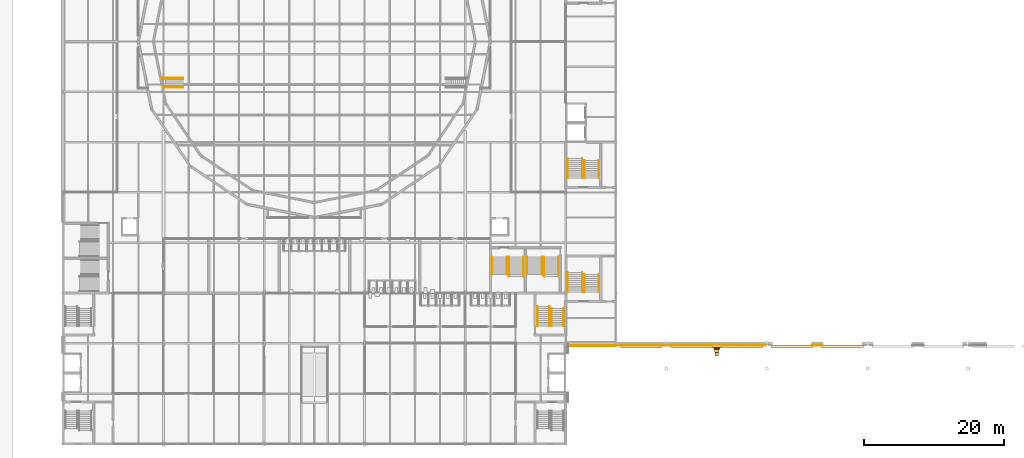
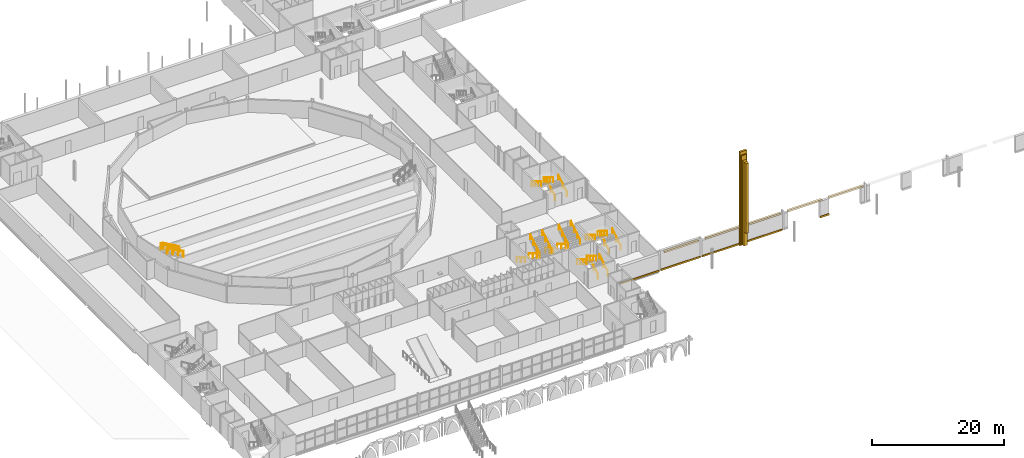
# One storey, part 81 of 90: 24 railings, 13 coverings.
"""IFC4 building model written with IfcOpenShell, lengths in metres."""

from ifc_helpers import new_model, si_unit, direction, frame, origin, origin_2d, place, context, subcontext, project, spatial, rectangle, circle, extrude, material, layer, layer_set, type_object, element, save


model = new_model("IFC4")

# Units and contexts
model_context = context("Model", 3, precision=1e-05, world=origin(), true_north=direction((0.0, 1.0)))
body_context = subcontext(model_context, "Body", "Model", "MODEL_VIEW")
ifc_project = project(units=[si_unit("LENGTHUNIT", "METRE"), si_unit("AREAUNIT", "SQUARE_METRE"), si_unit("VOLUMEUNIT", "CUBIC_METRE"), si_unit("PLANEANGLEUNIT", "RADIAN"), si_unit("MASSUNIT", "GRAM", prefix="KILO")], contexts=[model_context])

# Site, building, storey
site_placement = place(None, origin())
site = spatial("IfcSite", under=ifc_project, at=site_placement, CompositionType="ELEMENT")
building_placement = place(site_placement, origin())
building = spatial("IfcBuilding", under=site, at=building_placement, Name="Kupolbacken Congress Centre", CompositionType="ELEMENT")
storey_placement = place(building_placement, frame((0.0, 0.0, 3.60009765625)))
storey = spatial("IfcBuildingStorey", under=building, at=storey_placement, Name="L01", CompositionType="ELEMENT", Elevation=3.60009765625)

# Coverings
ifc_material_1 = material(Name="Brick cladding", Category="masonry")
ifc_layer_1 = layer(ifc_material_1, 0.10791015625)
ifc_layer_set_1 = layer_set([ifc_layer_1], Name="Brick cladding")
covering_type_1 = type_object("IfcCoveringType", Name="CV2 brick cladding band 108", PredefinedType="CLADDING", material=ifc_layer_set_1)
covering_1_placement = place(storey_placement, frame((90.0, 42.93603515625, 0.0), z_axis=(0.0, 0.0, 1.0), x_axis=(1.0, 0.0, 0.0)))
element("IfcCovering", 1, at=covering_1_placement, inside=storey, type_object=covering_type_1, Name="E/H/S/L01/171/band", PredefinedType="CLADDING", context=body_context, shape_type="SweptSolid", body=[
    extrude(rectangle(XDim=6.89990234375, YDim=0.10791015625, at=origin_2d()), origin(), (0.0, 0.0, 1.0), 0.300048828125),
])
covering_2_placement = place(storey_placement, frame((100.800048828125, 42.93603515625, 0.0), z_axis=(0.0, 0.0, 1.0), x_axis=(1.0, 0.0, 0.0)))
element("IfcCovering", 2, at=covering_2_placement, inside=storey, type_object=covering_type_1, Name="E/H/S/L01/172/band", PredefinedType="CLADDING", context=body_context, shape_type="SweptSolid", body=[
    extrude(rectangle(XDim=14.10009765625, YDim=0.10791015625, at=origin_2d()), origin(), (0.0, 0.0, 1.0), 0.300048828125),
])
covering_3_placement = place(storey_placement, frame((115.199951171875, 42.93603515625, 0.0), z_axis=(0.0, 0.0, 1.0), x_axis=(1.0, 0.0, 0.0)))
element("IfcCovering", 3, at=covering_3_placement, inside=storey, type_object=covering_type_1, Name="E/H/S/L01/174/band", PredefinedType="CLADDING", context=body_context, shape_type="SweptSolid", body=[
    extrude(rectangle(XDim=1.60009765625, YDim=0.10791015625, at=origin_2d()), origin(), (0.0, 0.0, 1.0), 0.300048828125),
])
covering_4_placement = place(storey_placement, frame((82.800048828125, 42.865966796875, 0.0), z_axis=(0.0, 0.0, 1.0), x_axis=(1.0, 0.0, 0.0)))
element("IfcCovering", 4, at=covering_4_placement, inside=storey, type_object=covering_type_1, Name="E/LINK/S/L01/188/band", PredefinedType="CLADDING", context=body_context, shape_type="SweptSolid", body=[
    extrude(rectangle(XDim=6.89990234375, YDim=0.10791015625, at=origin_2d()), origin(), (0.0, 0.0, 1.0), 0.300048828125),
])
ifc_material_2 = material(Name="Limestone cladding", Category="masonry")
ifc_layer_2 = layer(ifc_material_2, 0.35009765625)
ifc_layer_set_2 = layer_set([ifc_layer_2], Name="Limestone cladding")
covering_type_2 = type_object("IfcCoveringType", Name="CV3 limestone pilaster strip 350", PredefinedType="CLADDING", material=ifc_layer_set_2)
covering_5_placement = place(storey_placement, frame((100.800048828125, 42.764892578125, 0.0), z_axis=(0.0, 0.0, 1.0), x_axis=(1.0, 0.0, 0.0)))
element("IfcCovering", 5, at=covering_5_placement, inside=storey, type_object=covering_type_2, Name="F/H/S/pil/02/0", PredefinedType="CLADDING", context=body_context, shape_type="SweptSolid", body=[
    extrude(rectangle(XDim=1.199951171875, YDim=0.35009765625, at=origin_2d()), origin(), (0.0, 0.0, 1.0), 17.3349609375),
])
for number, where, z_axis, x_axis, name in (
    (6, (90.0, 42.764892578125, 3.2998046875), (0.0, 0.0, 1.0), (1.0, 0.0, 0.0), "F/HR/H/S/string/7.2/00/0"),
    (7, (97.199951171875, 42.764892578125, 3.2998046875), (0.0, 0.0, 1.0), (1.0, 0.0, 0.0), "F/HR/H/S/string/7.2/01/0"),
    (8, (104.39990234375, 42.764892578125, 3.2998046875), (0.0, 0.0, 1.0), (1.0, 0.0, 0.0), "F/HR/H/S/string/7.2/02/0"),
    (9, (111.60009765625, 42.764892578125, 3.2998046875), (0.0, 0.0, 1.0), (1.0, 0.0, 0.0), "F/HR/H/S/string/7.2/03/0"),
    (10, (118.800048828125, 42.764892578125, 3.2998046875), (0.0, 0.0, 1.0), (1.0, 0.0, 0.0), "F/HR/H/S/string/7.2/04/0"),
):
    element("IfcCovering", number, at=place(storey_placement, frame(where, z_axis=z_axis, x_axis=x_axis)), inside=storey, type_object=covering_type_2, Name=name, PredefinedType="CLADDING", context=body_context, shape_type="SweptSolid", body=[
        extrude(rectangle(XDim=6.0, YDim=0.35009765625, at=origin_2d()), origin(), (0.0, 0.0, 1.0), 0.300048828125),
    ])
ifc_material_3 = material(Name="Limestone cladding", Category="masonry")
ifc_layer_3 = layer(ifc_material_3, 0.5)
ifc_layer_set_3 = layer_set([ifc_layer_3], Name="Limestone cladding")
covering_type_3 = type_object("IfcCoveringType", Name="CV8 limestone drum pier 500", PredefinedType="CLADDING", material=ifc_layer_set_3)
covering_6_placement = place(storey_placement, frame((100.800048828125, 42.139892578125, 0.2998046875), z_axis=(0.0, 0.0, 1.0), x_axis=(1.0, 0.0, 0.0)))
element("IfcCovering", 11, at=covering_6_placement, inside=storey, type_object=covering_type_3, Name="F/HR/H/S/butt/02-0/0", PredefinedType="CLADDING", context=body_context, shape_type="SweptSolid", body=[
    extrude(rectangle(XDim=0.60009765625, YDim=0.5, at=origin_2d()), origin(), (0.0, 0.0, 1.0), 15.485107421875),
])
covering_7_placement = place(storey_placement, frame((100.800048828125, 41.639892578125, 2.89990234375), z_axis=(0.0, 0.0, 1.0), x_axis=(1.0, 0.0, 0.0)))
element("IfcCovering", 12, at=covering_7_placement, inside=storey, type_object=covering_type_3, Name="F/HR/H/S/butt2/02-0/0", PredefinedType="CLADDING", context=body_context, shape_type="SweptSolid", body=[
    extrude(rectangle(XDim=0.5, YDim=0.5, at=origin_2d()), origin(), (0.0, 0.0, 1.0), 12.885009765625),
])
ifc_material_4 = material(Name="Limestone cladding", Category="masonry")
ifc_layer_4 = layer(ifc_material_4, 0.199951171875)
ifc_layer_set_4 = layer_set([ifc_layer_4], Name="Limestone cladding")
covering_type_4 = type_object("IfcCoveringType", Name="CV9 limestone drum arch frame 200", PredefinedType="CLADDING", material=ifc_layer_set_4)
covering_8_placement = place(storey_placement, frame((100.800048828125, 42.489990234375, 0.2998046875), z_axis=(0.0, 0.0, 1.0), x_axis=(1.0, 0.0, 0.0)))
element("IfcCovering", 13, at=covering_8_placement, inside=storey, type_object=covering_type_4, Name="F/HR/H/S/rib/02-0/0", PredefinedType="CLADDING", context=body_context, shape_type="SweptSolid", body=[
    extrude(rectangle(XDim=0.89990234375, YDim=0.199951171875, at=origin_2d()), origin(), (0.0, 0.0, 1.0), 16.43505859375),
])

# Railings
ifc_material_5 = material(Name="Steel S235", Category="steel")
railing_type_1 = type_object("IfcRailingType", Name="RL1 guard 1100 steel balustrade", PredefinedType="GUARDRAIL", material=ifc_material_5)
railing_1_placement = place(storey_placement, frame((24.378173828125, 81.219970703125, 1.973876953125)))
element("IfcRailing", 14, at=railing_1_placement, inside=storey, type_object=railing_type_1, Name="PD/aisle/PA-S-1/Ga", PredefinedType="GUARDRAIL", context=body_context, shape_type="SweptSolid", body=[
    extrude(circle(Radius=0.02392578125, at=origin_2d()), frame((0.0, 0.0, 1.076171875), z_axis=(-0.864769934467, 0.0, 0.502168259094), x_axis=(0.0, -1.0, 0.0)), (0.0, 0.0, 1.0), 3.23779296875),
    extrude(circle(Radius=0.02392578125, at=origin_2d()), frame((-2.800048828125, 0.0, 2.7021484375), z_axis=(-1.0, 0.0, 0.0), x_axis=(0.0, -1.0, 0.0)), (0.0, 0.0, 1.0), 0.374755859375),
    extrude(circle(Radius=0.02099609375, at=origin_2d()), origin(), (0.0, 0.0, 1.0), 1.052001953125),
    extrude(circle(Radius=0.02099609375, at=origin_2d()), frame((-0.933349609375, 0.0, 0.5419921875)), (0.0, 0.0, 1.0), 1.052001953125),
    extrude(circle(Radius=0.02099609375, at=origin_2d()), frame((-1.86669921875, 0.0, 1.083984375)), (0.0, 0.0, 1.0), 1.052001953125),
    extrude(circle(Radius=0.02099609375, at=origin_2d()), frame((-2.800048828125, 0.0, 1.6259765625)), (0.0, 0.0, 1.0), 1.052001953125),
    extrude(circle(Radius=0.02099609375, at=origin_2d()), frame((-3.1748046875, 0.0, 1.6259765625)), (0.0, 0.0, 1.0), 1.052001953125),
])
railing_2_placement = place(storey_placement, frame((24.378173828125, 79.780029296875, 1.973876953125)))
element("IfcRailing", 15, at=railing_2_placement, inside=storey, type_object=railing_type_1, Name="PD/aisle/PA-S-1/Gb", PredefinedType="GUARDRAIL", context=body_context, shape_type="SweptSolid", body=[
    extrude(circle(Radius=0.02392578125, at=origin_2d()), frame((0.0, 0.0, 1.076171875), z_axis=(-0.864769934467, 0.0, 0.502168259094), x_axis=(0.0, -1.0, 0.0)), (0.0, 0.0, 1.0), 3.23779296875),
    extrude(circle(Radius=0.02392578125, at=origin_2d()), frame((-2.800048828125, 0.0, 2.7021484375), z_axis=(-1.0, 0.0, 0.0), x_axis=(0.0, -1.0, 0.0)), (0.0, 0.0, 1.0), 0.09130859375),
    extrude(circle(Radius=0.02099609375, at=origin_2d()), origin(), (0.0, 0.0, 1.0), 1.052001953125),
    extrude(circle(Radius=0.02099609375, at=origin_2d()), frame((-0.933349609375, 0.0, 0.5419921875)), (0.0, 0.0, 1.0), 1.052001953125),
    extrude(circle(Radius=0.02099609375, at=origin_2d()), frame((-1.86669921875, 0.0, 1.083984375)), (0.0, 0.0, 1.0), 1.052001953125),
    extrude(circle(Radius=0.02099609375, at=origin_2d()), frame((-2.800048828125, 0.0, 1.6259765625)), (0.0, 0.0, 1.0), 1.052001953125),
    extrude(circle(Radius=0.02099609375, at=origin_2d()), frame((-2.891357421875, 0.0, 1.6259765625)), (0.0, 0.0, 1.0), 1.052001953125),
])
ifc_material_6 = material(Name="Steel S235", Category="steel")
railing_type_2 = type_object("IfcRailingType", Name="RL3 handrail wall-mounted 900", PredefinedType="HANDRAIL", material=ifc_material_6)
for number, where, name in (
    (16, (77.14990234375, 45.655029296875, 0.17138671875), "C/stair/FS2E/L01/HR1L"),
    (17, (78.85009765625, 45.655029296875, 0.17138671875), "C/stair/FS2E/L01/HR1R"),
):
    element("IfcRailing", number, at=place(storey_placement, frame(where)), inside=storey, type_object=railing_type_2, Name=name, PredefinedType="HANDRAIL", context=body_context, shape_type="SweptSolid", body=[
        extrude(circle(Radius=0.02392578125, at=origin_2d()), frame((0.0, 0.0, 0.8759765625), z_axis=(0.0, 0.852873080145, 0.522118290393), x_axis=(-1.0, 0.0, 0.0)), (0.0, 0.0, 1.0), 2.954833984375),
        extrude(circle(Radius=0.02099609375, at=origin_2d()), origin(), (0.0, 0.0, 1.0), 0.851806640625),
        extrude(circle(Radius=0.02099609375, at=origin_2d()), frame((0.0, 1.260009765625, 0.771484375)), (0.0, 0.0, 1.0), 0.851806640625),
        extrude(circle(Radius=0.02099609375, at=origin_2d()), frame((0.0, 2.52001953125, 1.542724609375)), (0.0, 0.0, 1.0), 0.851806640625),
    ])
for number, where, name in (
    (18, (76.85009765625, 48.455078125, 1.885498046875), "C/stair/FS2E/L01/HR2L"),
    (19, (75.14990234375, 48.455078125, 1.885498046875), "C/stair/FS2E/L01/HR2R"),
):
    element("IfcRailing", number, at=place(storey_placement, frame(where)), inside=storey, type_object=railing_type_2, Name=name, PredefinedType="HANDRAIL", context=body_context, shape_type="SweptSolid", body=[
        extrude(circle(Radius=0.02392578125, at=origin_2d()), frame((0.0, 0.0, 0.8759765625), z_axis=(0.0, -0.852845897599, 0.522162690116), x_axis=(1.0, 0.0, 0.0)), (0.0, 0.0, 1.0), 3.283203125),
        extrude(circle(Radius=0.02099609375, at=origin_2d()), origin(), (0.0, 0.0, 1.0), 0.851806640625),
        extrude(circle(Radius=0.02099609375, at=origin_2d()), frame((0.0, -0.933349609375, 0.571533203125)), (0.0, 0.0, 1.0), 0.851806640625),
        extrude(circle(Radius=0.02099609375, at=origin_2d()), frame((0.0, -1.86669921875, 1.142822265625)), (0.0, 0.0, 1.0), 0.851806640625),
        extrude(circle(Radius=0.02099609375, at=origin_2d()), frame((0.0, -2.800048828125, 1.71435546875)), (0.0, 0.0, 1.0), 0.851806640625),
    ])
for number, where, name in (
    (20, (70.75, 55.544921875, 0.17138671875), "C/stair/PS1SE/L01/HR1L"),
    (21, (68.64990234375, 55.544921875, 0.17138671875), "C/stair/PS1SE/L01/HR1R"),
):
    element("IfcRailing", number, at=place(storey_placement, frame(where)), inside=storey, type_object=railing_type_2, Name=name, PredefinedType="HANDRAIL", context=body_context, shape_type="SweptSolid", body=[
        extrude(circle(Radius=0.02392578125, at=origin_2d()), frame((0.0, 0.0, 0.8759765625), z_axis=(0.0, -0.852873080145, 0.522118290393), x_axis=(1.0, 0.0, 0.0)), (0.0, 0.0, 1.0), 2.954833984375),
        extrude(circle(Radius=0.02099609375, at=origin_2d()), origin(), (0.0, 0.0, 1.0), 0.851806640625),
        extrude(circle(Radius=0.02099609375, at=origin_2d()), frame((0.0, -1.260009765625, 0.771484375)), (0.0, 0.0, 1.0), 0.851806640625),
        extrude(circle(Radius=0.02099609375, at=origin_2d()), frame((0.0, -2.52001953125, 1.542724609375)), (0.0, 0.0, 1.0), 0.851806640625),
    ])
for number, where, name in (
    (22, (71.050048828125, 52.7451171875, 1.885498046875), "C/stair/PS1SE/L01/HR2L"),
    (23, (73.14990234375, 52.7451171875, 1.885498046875), "C/stair/PS1SE/L01/HR2R"),
):
    element("IfcRailing", number, at=place(storey_placement, frame(where)), inside=storey, type_object=railing_type_2, Name=name, PredefinedType="HANDRAIL", context=body_context, shape_type="SweptSolid", body=[
        extrude(circle(Radius=0.02392578125, at=origin_2d()), frame((0.0, 0.0, 0.8759765625), z_axis=(0.0, 0.852825620865, 0.522195806567), x_axis=(-1.0, 0.0, 0.0)), (0.0, 0.0, 1.0), 3.282958984375),
        extrude(circle(Radius=0.02099609375, at=origin_2d()), origin(), (0.0, 0.0, 1.0), 0.851806640625),
        extrude(circle(Radius=0.02099609375, at=origin_2d()), frame((0.0, 0.933349609375, 0.571533203125)), (0.0, 0.0, 1.0), 0.851806640625),
        extrude(circle(Radius=0.02099609375, at=origin_2d()), frame((0.0, 1.866455078125, 1.142822265625)), (0.0, 0.0, 1.0), 0.851806640625),
        extrude(circle(Radius=0.02099609375, at=origin_2d()), frame((0.0, 2.7998046875, 1.71435546875)), (0.0, 0.0, 1.0), 0.851806640625),
    ])
for number, where, name in (
    (24, (75.75, 55.544921875, 0.17138671875), "C/stair/PS2SE/L01/HR1L"),
    (25, (73.64990234375, 55.544921875, 0.17138671875), "C/stair/PS2SE/L01/HR1R"),
):
    element("IfcRailing", number, at=place(storey_placement, frame(where)), inside=storey, type_object=railing_type_2, Name=name, PredefinedType="HANDRAIL", context=body_context, shape_type="SweptSolid", body=[
        extrude(circle(Radius=0.02392578125, at=origin_2d()), frame((0.0, 0.0, 0.8759765625), z_axis=(0.0, -0.852873080145, 0.522118290393), x_axis=(1.0, 0.0, 0.0)), (0.0, 0.0, 1.0), 2.954833984375),
        extrude(circle(Radius=0.02099609375, at=origin_2d()), origin(), (0.0, 0.0, 1.0), 0.851806640625),
        extrude(circle(Radius=0.02099609375, at=origin_2d()), frame((0.0, -1.260009765625, 0.771484375)), (0.0, 0.0, 1.0), 0.851806640625),
        extrude(circle(Radius=0.02099609375, at=origin_2d()), frame((0.0, -2.52001953125, 1.542724609375)), (0.0, 0.0, 1.0), 0.851806640625),
    ])
for number, where, name in (
    (26, (76.050048828125, 52.7451171875, 1.885498046875), "C/stair/PS2SE/L01/HR2L"),
    (27, (78.14990234375, 52.7451171875, 1.885498046875), "C/stair/PS2SE/L01/HR2R"),
):
    element("IfcRailing", number, at=place(storey_placement, frame(where)), inside=storey, type_object=railing_type_2, Name=name, PredefinedType="HANDRAIL", context=body_context, shape_type="SweptSolid", body=[
        extrude(circle(Radius=0.02392578125, at=origin_2d()), frame((0.0, 0.0, 0.8759765625), z_axis=(0.0, 0.852825620865, 0.522195806567), x_axis=(-1.0, 0.0, 0.0)), (0.0, 0.0, 1.0), 3.282958984375),
        extrude(circle(Radius=0.02099609375, at=origin_2d()), origin(), (0.0, 0.0, 1.0), 0.851806640625),
        extrude(circle(Radius=0.02099609375, at=origin_2d()), frame((0.0, 0.933349609375, 0.571533203125)), (0.0, 0.0, 1.0), 0.851806640625),
        extrude(circle(Radius=0.02099609375, at=origin_2d()), frame((0.0, 1.866455078125, 1.142822265625)), (0.0, 0.0, 1.0), 0.851806640625),
        extrude(circle(Radius=0.02099609375, at=origin_2d()), frame((0.0, 2.7998046875, 1.71435546875)), (0.0, 0.0, 1.0), 0.851806640625),
    ])
for number, where, name in (
    (28, (81.85009765625, 50.530029296875, 0.17138671875), "C/stair/LS1/L01/HR1L"),
    (29, (83.949951171875, 50.530029296875, 0.17138671875), "C/stair/LS1/L01/HR1R"),
):
    element("IfcRailing", number, at=place(storey_placement, frame(where)), inside=storey, type_object=railing_type_2, Name=name, PredefinedType="HANDRAIL", context=body_context, shape_type="SweptSolid", body=[
        extrude(circle(Radius=0.02392578125, at=origin_2d()), frame((0.0, 0.0, 0.8759765625), z_axis=(0.0, 0.852873080145, 0.522118290393), x_axis=(-1.0, 0.0, 0.0)), (0.0, 0.0, 1.0), 2.954833984375),
        extrude(circle(Radius=0.02099609375, at=origin_2d()), origin(), (0.0, 0.0, 1.0), 0.851806640625),
        extrude(circle(Radius=0.02099609375, at=origin_2d()), frame((0.0, 1.260009765625, 0.771484375)), (0.0, 0.0, 1.0), 0.851806640625),
        extrude(circle(Radius=0.02099609375, at=origin_2d()), frame((0.0, 2.52001953125, 1.542724609375)), (0.0, 0.0, 1.0), 0.851806640625),
    ])
for number, where, name in (
    (30, (81.550048828125, 53.330078125, 1.885498046875), "C/stair/LS1/L01/HR2L"),
    (31, (79.449951171875, 53.330078125, 1.885498046875), "C/stair/LS1/L01/HR2R"),
):
    element("IfcRailing", number, at=place(storey_placement, frame(where)), inside=storey, type_object=railing_type_2, Name=name, PredefinedType="HANDRAIL", context=body_context, shape_type="SweptSolid", body=[
        extrude(circle(Radius=0.02392578125, at=origin_2d()), frame((0.0, 0.0, 0.8759765625), z_axis=(0.0, -0.852845897599, 0.522162690116), x_axis=(1.0, 0.0, 0.0)), (0.0, 0.0, 1.0), 3.283203125),
        extrude(circle(Radius=0.02099609375, at=origin_2d()), origin(), (0.0, 0.0, 1.0), 0.851806640625),
        extrude(circle(Radius=0.02099609375, at=origin_2d()), frame((0.0, -0.933349609375, 0.571533203125)), (0.0, 0.0, 1.0), 0.851806640625),
        extrude(circle(Radius=0.02099609375, at=origin_2d()), frame((0.0, -1.86669921875, 1.142822265625)), (0.0, 0.0, 1.0), 0.851806640625),
        extrude(circle(Radius=0.02099609375, at=origin_2d()), frame((0.0, -2.800048828125, 1.71435546875)), (0.0, 0.0, 1.0), 0.851806640625),
    ])
for number, where, name in (
    (32, (81.85009765625, 66.85498046875, 0.17138671875), "C/stair/LS3/L01/HR1L"),
    (33, (83.949951171875, 66.85498046875, 0.17138671875), "C/stair/LS3/L01/HR1R"),
):
    element("IfcRailing", number, at=place(storey_placement, frame(where)), inside=storey, type_object=railing_type_2, Name=name, PredefinedType="HANDRAIL", context=body_context, shape_type="SweptSolid", body=[
        extrude(circle(Radius=0.02392578125, at=origin_2d()), frame((0.0, 0.0, 0.8759765625), z_axis=(0.0, 0.852873080145, 0.522118290393), x_axis=(-1.0, 0.0, 0.0)), (0.0, 0.0, 1.0), 2.954833984375),
        extrude(circle(Radius=0.02099609375, at=origin_2d()), origin(), (0.0, 0.0, 1.0), 0.851806640625),
        extrude(circle(Radius=0.02099609375, at=origin_2d()), frame((0.0, 1.260009765625, 0.771484375)), (0.0, 0.0, 1.0), 0.851806640625),
        extrude(circle(Radius=0.02099609375, at=origin_2d()), frame((0.0, 2.52001953125, 1.542724609375)), (0.0, 0.0, 1.0), 0.851806640625),
    ])
for number, where, name in (
    (34, (81.550048828125, 69.655029296875, 1.885498046875), "C/stair/LS3/L01/HR2L"),
    (35, (79.449951171875, 69.655029296875, 1.885498046875), "C/stair/LS3/L01/HR2R"),
):
    element("IfcRailing", number, at=place(storey_placement, frame(where)), inside=storey, type_object=railing_type_2, Name=name, PredefinedType="HANDRAIL", context=body_context, shape_type="SweptSolid", body=[
        extrude(circle(Radius=0.02392578125, at=origin_2d()), frame((0.0, 0.0, 0.8759765625), z_axis=(0.0, -0.852845897599, 0.522162690116), x_axis=(1.0, 0.0, 0.0)), (0.0, 0.0, 1.0), 3.283203125),
        extrude(circle(Radius=0.02099609375, at=origin_2d()), origin(), (0.0, 0.0, 1.0), 0.851806640625),
        extrude(circle(Radius=0.02099609375, at=origin_2d()), frame((0.0, -0.933349609375, 0.571533203125)), (0.0, 0.0, 1.0), 0.851806640625),
        extrude(circle(Radius=0.02099609375, at=origin_2d()), frame((0.0, -1.86669921875, 1.142822265625)), (0.0, 0.0, 1.0), 0.851806640625),
        extrude(circle(Radius=0.02099609375, at=origin_2d()), frame((0.0, -2.800048828125, 1.71435546875)), (0.0, 0.0, 1.0), 0.851806640625),
    ])
for number, where, name in (
    (36, (24.378173828125, 79.949951171875, 1.973876953125), "PD/aisle/PA-S-1/HR1L"),
    (37, (24.378173828125, 81.050048828125, 1.973876953125), "PD/aisle/PA-S-1/HR1R"),
):
    element("IfcRailing", number, at=place(storey_placement, frame(where)), inside=storey, type_object=railing_type_2, Name=name, PredefinedType="HANDRAIL", context=body_context, shape_type="SweptSolid", body=[
        extrude(circle(Radius=0.02392578125, at=origin_2d()), frame((0.0, 0.0, 0.8759765625), z_axis=(-0.864769934467, 0.0, 0.502168259094), x_axis=(0.0, -1.0, 0.0)), (0.0, 0.0, 1.0), 3.23779296875),
        extrude(circle(Radius=0.02099609375, at=origin_2d()), origin(), (0.0, 0.0, 1.0), 0.851806640625),
        extrude(circle(Radius=0.02099609375, at=origin_2d()), frame((-0.933349609375, 0.0, 0.5419921875)), (0.0, 0.0, 1.0), 0.851806640625),
        extrude(circle(Radius=0.02099609375, at=origin_2d()), frame((-1.86669921875, 0.0, 1.083984375)), (0.0, 0.0, 1.0), 0.851806640625),
        extrude(circle(Radius=0.02099609375, at=origin_2d()), frame((-2.800048828125, 0.0, 1.6259765625)), (0.0, 0.0, 1.0), 0.851806640625),
    ])

save(model, "model.ifc")
